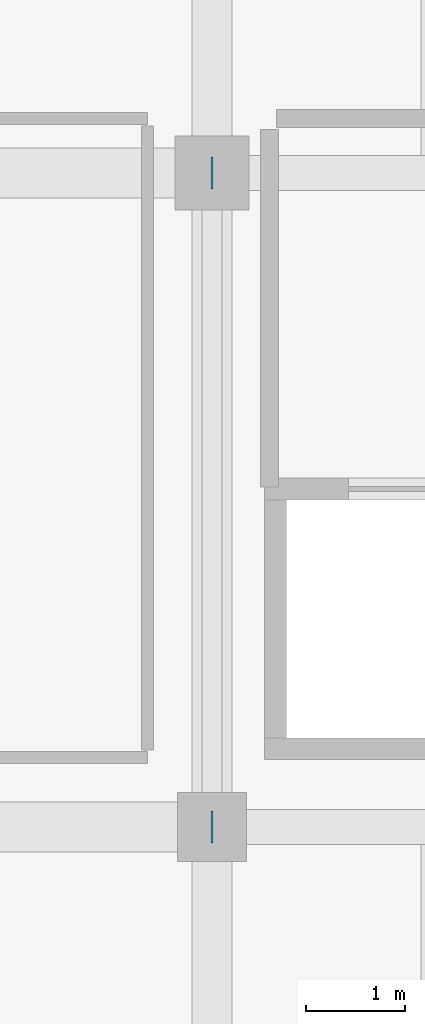
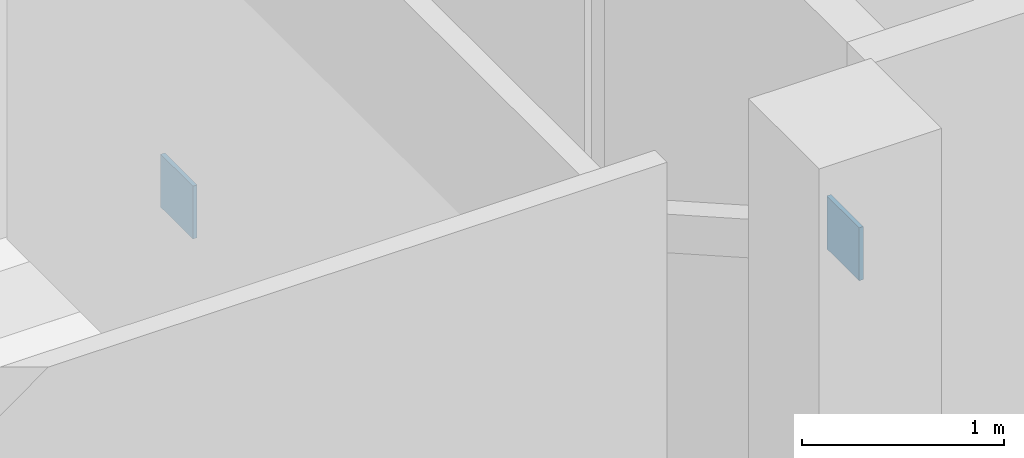
# One storey, part 18 of 39: 2 plates.
"""IFC4 building model written with IfcOpenShell, lengths in metres."""

from ifc_helpers import new_model, si_unit, direction, frame, origin, origin_2d, place, context, subcontext, project, spatial, rectangle, extrude, material, layer, layer_set, type_object, element, save


model = new_model("IFC4")

# Units and contexts
model_context = context("Model", 3, precision=1e-05, world=origin(), true_north=direction((0.0, 1.0)))
body_context = subcontext(model_context, "Body", "Model", "MODEL_VIEW")
ifc_project = project(units=[si_unit("LENGTHUNIT", "METRE"), si_unit("AREAUNIT", "SQUARE_METRE"), si_unit("VOLUMEUNIT", "CUBIC_METRE"), si_unit("PLANEANGLEUNIT", "RADIAN"), si_unit("MASSUNIT", "GRAM", prefix="KILO")], contexts=[model_context])

# Site, building, storey
site_placement = place(None, origin())
site = spatial("IfcSite", under=ifc_project, at=site_placement, CompositionType="ELEMENT")
building_placement = place(site_placement, origin())
building = spatial("IfcBuilding", under=site, at=building_placement, Name="Dornvale Research Institute", CompositionType="ELEMENT")
storey_placement = place(building_placement, frame((0.0, 0.0, 24.60009765625)))
storey = spatial("IfcBuildingStorey", under=building, at=storey_placement, Name="L05", CompositionType="ELEMENT", Elevation=24.60009765625)

# Plates
ifc_material = material(Name="Steel ASTM A572 Grade 50", Category="steel")
ifc_layer = layer(ifc_material, 0.02490234375)
ifc_layer_set = layer_set([ifc_layer], Name="Steel ASTM A572 Grade 50")
plate_type = type_object("IfcPlateType", Name="SheetPlate_EndCap_25", PredefinedType="SHEET", material=ifc_layer_set)
for number, where, z_axis, x_axis, name in (
    (1, (13.199951171875, 110.39990234375, 0.1396484375), (0.0, 0.0, 1.0), (0.0, 1.0, 0.0), "HSS brace node gusset and cap plate ND-035"),
    (2, (13.199951171875, 103.800048828125, 3.8896484375), (0.0, 0.0, 1.0), (0.0, 1.0, 0.0), "HSS brace node gusset and cap plate ND-036"),
):
    element("IfcPlate", number, at=place(storey_placement, frame(where, z_axis=z_axis, x_axis=x_axis)), inside=storey, type_object=plate_type, Name=name, PredefinedType="SHEET", context=body_context, shape_type="SweptSolid", body=[
        extrude(rectangle(XDim=0.320068359375, YDim=0.02490234375, at=origin_2d()), origin(), (0.0, 0.0, 1.0), 0.320068359375),
    ])

save(model, "model.ifc")
